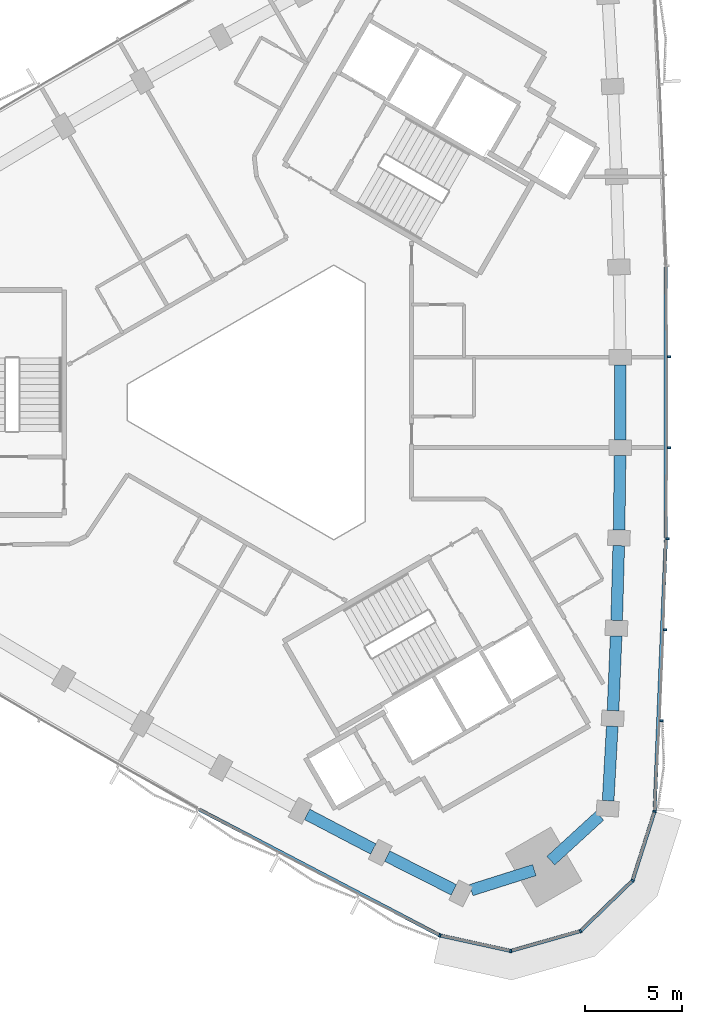
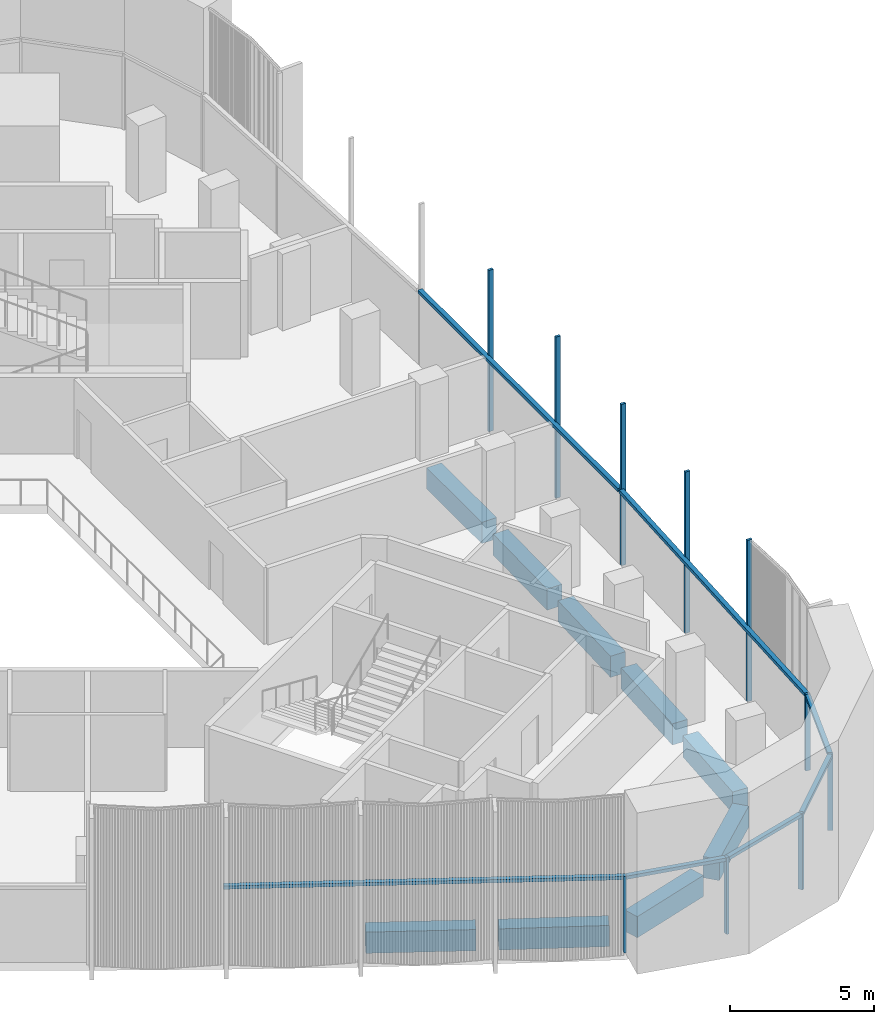
# One storey, part 3 of 13: 17 members, 9 beams, 2 elements without a shape of their own.
"""IFC4 building model written with IfcOpenShell, lengths in metres."""

import ifcopenshell
import ifcopenshell.guid

model = None  # the IFC model being written
_history = None  # IfcOwnerHistory: only IFC2X3 demands one
_inside = {}  # id of a spatial element -> (the spatial element, [elements in it])
_under = {}  # id of a project, library or spatial element -> (it, [spatial elements below it])
_declared = {}  # id of a project -> (the project, [libraries it declares])
_typed = {}  # id of a type object -> (the type object, [elements of that type])
_made_of = {}  # id of a material, layer set ... -> (it, [elements and type objects made of it])


def new_model(schema):
    """Start an empty IFC model of exactly this schema.

    Asked for "IFC4X3", IfcOpenShell would pick the latest addendum, in which some entities
    have other attributes; the version numbers below select the first issue.
    IFC2X3 requires an IfcOwnerHistory on every rooted entity: one is made here for all.
    """
    global model, _history
    if schema == "IFC4X3":
        model = ifcopenshell.file(schema_version=(4, 3, 0, 0))
    else:
        model = ifcopenshell.file(schema=schema)
    _inside.clear()
    _under.clear()
    _declared.clear()
    _typed.clear()
    _made_of.clear()
    _history = None
    if model.schema == "IFC2X3":
        org = make("IfcOrganization", Name="unknown")
        user = make(
            "IfcPersonAndOrganization",
            ThePerson=make("IfcPerson", FamilyName="unknown"),
            TheOrganization=org,
        )
        app = make(
            "IfcApplication",
            ApplicationDeveloper=org,
            Version="unknown",
            ApplicationFullName="unknown",
            ApplicationIdentifier="unknown",
        )
        _history = make(
            "IfcOwnerHistory",
            OwningUser=user,
            OwningApplication=app,
            ChangeAction="ADDED",
            CreationDate=0,
        )
    return model


def make(cls, **values):
    """One entity of the class cls with the attributes given. An attribute that is None is left unset."""
    return model.create_entity(
        cls, **{name: value for name, value in values.items() if value is not None}
    )


def rooted(cls, **values):
    """An entity with a GlobalId (a new one), such as an element, a storey or a relation."""
    return make(cls, GlobalId=ifcopenshell.guid.new(), OwnerHistory=_history, **values)


def si_unit(unit_type, name, prefix=None):
    """IfcSIUnit, for example si_unit("LENGTHUNIT", "METRE", prefix="MILLI")."""
    return make("IfcSIUnit", UnitType=unit_type, Prefix=prefix, Name=name)


def assignment(units):
    """IfcUnitAssignment: the units of a project."""
    return None if units is None else make("IfcUnitAssignment", Units=units)


def point(xyz):
    """IfcCartesianPoint."""
    return None if xyz is None else make("IfcCartesianPoint", Coordinates=xyz)


def direction(xyz):
    """IfcDirection."""
    return None if xyz is None else make("IfcDirection", DirectionRatios=xyz)


def frame(location, z_axis=None, x_axis=None):
    """IfcAxis2Placement3D, a coordinate frame: its origin and axes. An axis left out is left unset."""
    return make(
        "IfcAxis2Placement3D",
        Location=point(location),
        Axis=direction(z_axis),
        RefDirection=direction(x_axis),
    )


def frame_2d(location, x_axis=None):
    """IfcAxis2Placement2D, a coordinate frame in the plane: its origin and x axis."""
    return make(
        "IfcAxis2Placement2D", Location=point(location), RefDirection=direction(x_axis)
    )


def origin():
    """The frame at (0, 0, 0) with its axes left unset."""
    return frame((0.0, 0.0, 0.0))


def origin_2d():
    """The frame at (0, 0) in the plane with its x axis left unset."""
    return frame_2d((0.0, 0.0))


def place(relative_to, where):
    """IfcLocalPlacement: puts the frame where relative to a parent placement (None: the world)."""
    return make(
        "IfcLocalPlacement", PlacementRelTo=relative_to, RelativePlacement=where
    )


def context(
    kind, dimensions, precision=None, world=None, true_north=None, identifier=None
):
    """IfcGeometricRepresentationContext, for example the 3D "Model" context."""
    return make(
        "IfcGeometricRepresentationContext",
        ContextIdentifier=identifier,
        ContextType=kind,
        CoordinateSpaceDimension=dimensions,
        Precision=precision,
        WorldCoordinateSystem=world,
        TrueNorth=true_north,
    )


def subcontext(parent, identifier, kind, view, scale=None):
    """IfcGeometricRepresentationSubContext, for example "Body" below "Model"."""
    return make(
        "IfcGeometricRepresentationSubContext",
        ContextIdentifier=identifier,
        ContextType=kind,
        ParentContext=parent,
        TargetScale=scale,
        TargetView=view,
    )


def project(units=None, contexts=None):
    """IfcProject with its units and contexts."""
    return rooted(
        "IfcProject",
        Name="project",
        RepresentationContexts=contexts,
        UnitsInContext=assignment(units),
    )


def spatial(cls, under=None, at=None, **own):
    """A site, building, storey or space (cls), placed at a placement, below another one or the project."""
    s = rooted(cls, ObjectPlacement=at, **own)
    if under is not None:
        _under.setdefault(under.id(), (under, []))[1].append(s)
    return s


def profile(cls, at=None, kind="AREA", **sizes):
    """A parametric profile (cls). Its sizes go by their IFC names, for example OverallWidth=200.0."""
    return make(cls, ProfileType=kind, Position=at, **sizes)


def rectangle(**sizes):
    """IfcRectangleProfileDef."""
    return profile("IfcRectangleProfileDef", **sizes)


def extrude(swept, where, along, depth):
    """IfcExtrudedAreaSolid: the profile swept, set in the frame where, extruded along a direction by depth."""
    return make(
        "IfcExtrudedAreaSolid",
        SweptArea=swept,
        Position=where,
        ExtrudedDirection=direction(along),
        Depth=depth,
    )


def shape(context_of_items, identifier, shape_type, items):
    """IfcShapeRepresentation: the items that make up one representation, for example the "Body"."""
    return make(
        "IfcShapeRepresentation",
        ContextOfItems=context_of_items,
        RepresentationIdentifier=identifier,
        RepresentationType=shape_type,
        Items=items,
    )


def material(Name=None, Category=None):
    """IfcMaterial."""
    return make("IfcMaterial", Name=Name, Category=Category)


def material_profile(
    of_material, cross_section, Name=None, Category=None, Priority=None
):
    """IfcMaterialProfile: a cross section and its material."""
    return make(
        "IfcMaterialProfile",
        Name=Name,
        Material=of_material,
        Profile=cross_section,
        Priority=Priority,
        Category=Category,
    )


def profile_set(profiles, Name=None, composite=None):
    """IfcMaterialProfileSet."""
    return make(
        "IfcMaterialProfileSet",
        Name=Name,
        MaterialProfiles=profiles,
        CompositeProfile=composite,
    )


def made_of(thing, what):
    """Note that an element or type object is made of a material, layer set ...; save() writes the relation."""
    if what is not None:
        _made_of.setdefault(what.id(), (what, []))[1].append(thing)
    return thing


def type_object(cls, material=None, **own):
    """A type object (cls), such as IfcWallType, which elements share."""
    return made_of(rooted(cls, **own), material)


def element(
    cls,
    number,
    at=None,
    inside=None,
    cuts=None,
    type_object=None,
    material=None,
    context=None,
    identifier="Body",
    shape_type=None,
    held_by="IfcProductDefinitionShape",
    body=None,
    shapes=None,
    **own,
):
    """One element of the class cls, such as IfcWall. Its Tag is "e" and its number.

    at: its placement. inside: the storey or other place that contains it. cuts: it is an
    opening in that element (IfcRelVoidsElement). A single representation is given by context,
    identifier, shape_type and body (its items); several are given by shapes. held_by: the class
    of the entity that holds the representations. save() writes the other relations.
    """
    e = rooted(cls, Tag="e%d" % number, ObjectPlacement=at, **own)
    if body is not None:
        shapes = [shape(context, identifier, shape_type, body)]
    if shapes is not None:
        e.Representation = make(held_by, Representations=shapes)
    if inside is not None:
        _inside.setdefault(inside.id(), (inside, []))[1].append(e)
    if cuts is not None:
        rooted(
            "IfcRelVoidsElement", RelatingBuildingElement=cuts, RelatedOpeningElement=e
        )
    if type_object is not None:
        _typed.setdefault(type_object.id(), (type_object, []))[1].append(e)
    return made_of(e, material)


def aggregate(whole, parts):
    """IfcRelAggregates: a whole, such as a stair, and the parts it consists of."""
    return rooted("IfcRelAggregates", RelatingObject=whole, RelatedObjects=parts)


def save(model, path):
    """Write the relations noted so far, then the file.

    IfcRelAggregates (storeys below a building ...), IfcRelContainedInSpatialStructure (elements
    in a storey), IfcRelDefinesByType, IfcRelAssociatesMaterial and IfcRelDeclares: one each for
    every whole, place, type object, material and project.
    """
    for whole, parts in _under.values():
        aggregate(whole, parts)
    for where, things in _inside.values():
        rooted(
            "IfcRelContainedInSpatialStructure",
            RelatedElements=things,
            RelatingStructure=where,
        )
    for kind, things in _typed.values():
        rooted("IfcRelDefinesByType", RelatedObjects=things, RelatingType=kind)
    for what, things in _made_of.values():
        rooted("IfcRelAssociatesMaterial", RelatedObjects=things, RelatingMaterial=what)
    for by, libraries in _declared.values():
        rooted("IfcRelDeclares", RelatingContext=by, RelatedDefinitions=libraries)
    model.write(path)


model = new_model("IFC4")

# Units and contexts
model_context = context("Model", 3, precision=1e-05, world=origin(), true_north=direction((0.0, 1.0)))
body_context = subcontext(model_context, "Body", "Model", "MODEL_VIEW")
ifc_project = project(units=[si_unit("LENGTHUNIT", "METRE"), si_unit("AREAUNIT", "SQUARE_METRE"), si_unit("VOLUMEUNIT", "CUBIC_METRE"), si_unit("PLANEANGLEUNIT", "RADIAN"), si_unit("MASSUNIT", "GRAM", prefix="KILO")], contexts=[model_context])

# Site, building, storey
site_placement = place(None, origin())
site = spatial("IfcSite", under=ifc_project, at=site_placement, CompositionType="ELEMENT")
building_placement = place(site_placement, origin())
building = spatial("IfcBuilding", under=site, at=building_placement, Name="Tamra Quay Hotel Tower", CompositionType="ELEMENT")
storey_placement = place(building_placement, frame((0.0, 0.0, 186.39990234375)))
storey = spatial("IfcBuildingStorey", under=building, at=storey_placement, Name="L46", CompositionType="ELEMENT", Elevation=186.39990234375)

# Curtain wall, members
ifc_material_1 = material(Name="Aluminium 6063 anodised dark grey", Category="aluminium")
curtain_wall_type_1 = type_object("IfcCurtainWallType", Name="CW1 CURTAIN WALL", PredefinedType="NOTDEFINED", material=ifc_material_1)
curtain_wall_1_placement = place(storey_placement, origin())
curtain_wall_1 = element("IfcCurtainWall", 1, at=curtain_wall_1_placement, inside=storey, type_object=curtain_wall_type_1, Name="CW1 east face L46", PredefinedType="NOTDEFINED")
ifc_material_profile_1 = material_profile(ifc_material_1, rectangle(XDim=0.179931640625, YDim=0.10009765625, at=origin_2d()), Name="MULLION 100X180")
ifc_profile_set_1 = profile_set([ifc_material_profile_1], Name="Aluminium 6063 anodised dark grey")
member_type_1 = type_object("IfcMemberType", Name="MULLION CW1 Z4", PredefinedType="MULLION", material=ifc_profile_set_1)
member_1_placement = place(storey_placement, frame((19.4755859375, -21.00537109375, 0.0), z_axis=(0.0, 0.0, 1.0), x_axis=(0.98350948997, -0.180856526394, 0.0)))
member_1 = element("IfcMember", 2, at=member_1_placement, type_object=member_type_1, Name="CW1 mullion L46.E.1", PredefinedType="MULLION", context=body_context, shape_type="SweptSolid", body=[
    extrude(rectangle(XDim=0.179931640625, YDim=0.10009765625, at=origin_2d()), origin(), (0.0, 0.0, 1.0), 3.25),
])
member_2_placement = place(storey_placement, frame((19.824462890625, -16.346435546875, 0.0), z_axis=(0.0, 0.0, 1.0), x_axis=(0.998822750777, -0.048508891255, 0.0)))
member_2 = element("IfcMember", 3, at=member_2_placement, type_object=member_type_1, Name="CW1 mullion L46.E.2", PredefinedType="MULLION", context=body_context, shape_type="SweptSolid", body=[
    extrude(rectangle(XDim=0.179931640625, YDim=0.10009765625, at=origin_2d()), origin(), (0.0, 0.0, 1.0), 6.85009765625),
])
member_3_placement = place(storey_placement, frame((20.018798828125, -11.677734375, 0.0), z_axis=(0.0, 0.0, 1.0), x_axis=(0.999398564951, -0.034677202512, 0.0)))
member_3 = element("IfcMember", 4, at=member_3_placement, type_object=member_type_1, Name="CW1 mullion L46.E.3", PredefinedType="MULLION", context=body_context, shape_type="SweptSolid", body=[
    extrude(rectangle(XDim=0.179931640625, YDim=0.10009765625, at=origin_2d()), origin(), (0.0, 0.0, 1.0), 6.85009765625),
])
member_4_placement = place(storey_placement, frame((20.1484375, -7.008544921875, 0.0), z_axis=(0.0, 0.0, 1.0), x_axis=(0.999783229349, -0.020820526248, 0.0)))
member_4 = element("IfcMember", 5, at=member_4_placement, type_object=member_type_1, Name="CW1 mullion L46.E.4", PredefinedType="MULLION", context=body_context, shape_type="SweptSolid", body=[
    extrude(rectangle(XDim=0.179931640625, YDim=0.10009765625, at=origin_2d()), origin(), (0.0, 0.0, 1.0), 6.85009765625),
])
member_5_placement = place(storey_placement, frame((20.213134765625, -2.33642578125, 0.0), z_axis=(0.0, 0.0, 1.0), x_axis=(0.999975894313, -0.006943399247, 0.0)))
member_5 = element("IfcMember", 6, at=member_5_placement, type_object=member_type_1, Name="CW1 mullion L46.E.5", PredefinedType="MULLION", context=body_context, shape_type="SweptSolid", body=[
    extrude(rectangle(XDim=0.179931640625, YDim=0.10009765625, at=origin_2d()), origin(), (0.0, 0.0, 1.0), 6.85009765625),
])
member_6_placement = place(storey_placement, frame((20.213134765625, 2.33642578125, 0.0), z_axis=(0.0, 0.0, 1.0), x_axis=(0.999975894313, 0.006943399247, 0.0)))
member_6 = element("IfcMember", 7, at=member_6_placement, type_object=member_type_1, Name="CW1 mullion L46.E.6", PredefinedType="MULLION", context=body_context, shape_type="SweptSolid", body=[
    extrude(rectangle(XDim=0.179931640625, YDim=0.10009765625, at=origin_2d()), origin(), (0.0, 0.0, 1.0), 6.85009765625),
])

curtain_wall_type_2 = type_object("IfcCurtainWallType", Name="CW3 CURTAIN WALL", PredefinedType="NOTDEFINED", material=ifc_material_1)
curtain_wall_2_placement = place(storey_placement, origin())
curtain_wall_2 = element("IfcCurtainWall", 8, at=curtain_wall_2_placement, inside=storey, type_object=curtain_wall_type_2, Name="CW3 south-west face L46", PredefinedType="NOTDEFINED")
ifc_material_profile_2 = material_profile(ifc_material_1, rectangle(XDim=0.179931640625, YDim=0.10009765625, at=origin_2d()), Name="MULLION 100X180")
ifc_profile_set_2 = profile_set([ifc_material_profile_2], Name="Aluminium 6063 anodised dark grey")
member_type_2 = type_object("IfcMemberType", Name="MULLION CW3 Z4", PredefinedType="MULLION", material=ifc_profile_set_2)
member_7_placement = place(storey_placement, frame((8.453369140625, -27.369140625, 0.0), z_axis=(0.0, 0.0, 1.0), x_axis=(-0.335128398687, -0.942172466374, 0.0)))
member_7 = element("IfcMember", 9, at=member_7_placement, type_object=member_type_2, Name="CW3 mullion L46.SW.10", PredefinedType="MULLION", context=body_context, shape_type="SweptSolid", body=[
    extrude(rectangle(XDim=0.179931640625, YDim=0.10009765625, at=origin_2d()), origin(), (0.0, 0.0, 1.0), 3.25),
])
member_8_placement = place(storey_placement, frame((12.091064453125, -28.164794921875, 0.0), z_axis=(0.0, 0.0, 1.0), x_axis=(0.030975337936, -0.999520149091, 0.0)))
member_8 = element("IfcMember", 10, at=member_8_placement, type_object=member_type_2, Name="CW3 mullion L46.SW.11", PredefinedType="MULLION", context=body_context, shape_type="SweptSolid", body=[
    extrude(rectangle(XDim=0.179931640625, YDim=0.10009765625, at=origin_2d()), origin(), (0.0, 0.0, 1.0), 3.25),
])
member_9_placement = place(storey_placement, frame((15.67236328125, -27.145263671875, 0.0), z_axis=(0.0, 0.0, 1.0), x_axis=(0.5, -0.866025403784, 0.0)))
member_9 = element("IfcMember", 11, at=member_9_placement, type_object=member_type_2, Name="CW3 mullion L46.SW.12", PredefinedType="MULLION", context=body_context, shape_type="SweptSolid", body=[
    extrude(rectangle(XDim=0.179931640625, YDim=0.10009765625, at=origin_2d()), origin(), (0.0, 0.0, 1.0), 3.25),
])
member_10_placement = place(storey_placement, frame((18.345947265625, -24.553466796875, 0.0), z_axis=(0.0, 0.0, 1.0), x_axis=(0.85012217174, -0.526585504089, 0.0)))
member_10 = element("IfcMember", 12, at=member_10_placement, type_object=member_type_2, Name="CW3 mullion L46.SW.13", PredefinedType="MULLION", context=body_context, shape_type="SweptSolid", body=[
    extrude(rectangle(XDim=0.179931640625, YDim=0.10009765625, at=origin_2d()), origin(), (0.0, 0.0, 1.0), 3.25),
])

# Beams
ifc_material_2 = material(Name="Concrete M60", Category="concrete")
ifc_material_profile_3 = material_profile(ifc_material_2, rectangle(XDim=0.60009765625, YDim=0.89990234375, at=origin_2d()), Name="SPANDREL BEAM RC 600x900")
ifc_profile_set_3 = profile_set([ifc_material_profile_3], Name="Concrete M60")
beam_type = type_object("IfcBeamType", Name="SPANDREL BEAM RC 600x900", PredefinedType="SPANDREL", material=ifc_profile_set_3)
beam_1_placement = place(storey_placement, frame((17.091796875, -20.456787109375, -0.7998046875), z_axis=(0.055346700292, 0.99846719664, 0.0), x_axis=(-0.99846719664, 0.055346700292, 0.0)))
element("IfcBeam", 13, at=beam_1_placement, inside=storey, type_object=beam_type, Name="BM-SP4-000-L46", PredefinedType="SPANDREL", context=body_context, shape_type="SweptSolid", body=[
    extrude(rectangle(XDim=0.60009765625, YDim=0.89990234375, at=origin_2d()), origin(), (0.0, 0.0, 1.0), 3.837646484375),
])
beam_2_placement = place(storey_placement, frame((17.343017578125, -15.82568359375, -0.7998046875), z_axis=(0.041609373826, 0.999133954988, 0.0), x_axis=(-0.999133954988, 0.041609373826, 0.0)))
element("IfcBeam", 14, at=beam_2_placement, inside=storey, type_object=beam_type, Name="BM-SP4-001-L46", PredefinedType="SPANDREL", context=body_context, shape_type="SweptSolid", body=[
    extrude(rectangle(XDim=0.60009765625, YDim=0.89990234375, at=origin_2d()), origin(), (0.0, 0.0, 1.0), 3.83740234375),
])
beam_3_placement = place(storey_placement, frame((17.530517578125, -11.192138671875, -0.7998046875), z_axis=(0.02773528523, 0.999615302981, 0.0), x_axis=(-0.999615302981, 0.02773528523, 0.0)))
element("IfcBeam", 15, at=beam_3_placement, inside=storey, type_object=beam_type, Name="BM-SP4-002-L46", PredefinedType="SPANDREL", context=body_context, shape_type="SweptSolid", body=[
    extrude(rectangle(XDim=0.60009765625, YDim=0.89990234375, at=origin_2d()), origin(), (0.0, 0.0, 1.0), 3.837890625),
])
for number, where, z_axis, x_axis, name in (
    (16, (17.65380859375, -6.555908203125, -0.7998046875), (0.01380539035, 0.999904701058, 0.0), (-0.999904701058, 0.01380539035, 0.0), "BM-SP4-003-L46"),
    (17, (17.71240234375, -1.918701171875, -0.7998046875), (0.0, 1.0, 0.0), (-1.0, 0.0, 0.0), "BM-SP4-004-L46"),
    (18, (1.6337890625, -21.153564453125, -0.7998046875), (0.886043134182, -0.463602808845, 0.0), (0.463602808845, 0.886043134182, 0.0), "BM-SP4-029-L46"),
):
    element("IfcBeam", number, at=place(storey_placement, frame(where, z_axis=z_axis, x_axis=x_axis)), inside=storey, type_object=beam_type, Name=name, PredefinedType="SPANDREL", context=body_context, shape_type="SweptSolid", body=[
        extrude(rectangle(XDim=0.60009765625, YDim=0.89990234375, at=origin_2d()), origin(), (0.0, 0.0, 1.0), 3.83740234375),
    ])
beam_4_placement = place(storey_placement, frame((5.745361328125, -23.29833984375, -0.7998046875), z_axis=(0.892407883039, -0.451229620359, 0.0), x_axis=(0.451229620359, 0.892407883039, 0.0)))
element("IfcBeam", 19, at=beam_4_placement, inside=storey, type_object=beam_type, Name="BM-SP4-030-L46", PredefinedType="SPANDREL", context=body_context, shape_type="SweptSolid", body=[
    extrude(rectangle(XDim=0.60009765625, YDim=0.89990234375, at=origin_2d()), origin(), (0.0, 0.0, 1.0), 3.837646484375),
])
beam_5_placement = place(storey_placement, frame((10.057373046875, -25.043212890625, -0.7998046875), z_axis=(0.953502415748, 0.301385373174, 0.0), x_axis=(-0.301385373174, 0.953502415748, 0.0)))
element("IfcBeam", 20, at=beam_5_placement, inside=storey, type_object=beam_type, Name="BM-SP4-031-L46", PredefinedType="SPANDREL", context=body_context, shape_type="SweptSolid", body=[
    extrude(rectangle(XDim=0.60009765625, YDim=0.89990234375, at=origin_2d()), origin(), (0.0, 0.0, 1.0), 3.40380859375),
])
beam_6_placement = place(storey_placement, frame((14.14794921875, -23.52978515625, -0.7998046875), z_axis=(0.737716497183, 0.675110635218, 0.0), x_axis=(-0.675110635218, 0.737716497183, 0.0)))
element("IfcBeam", 21, at=beam_6_placement, inside=storey, type_object=beam_type, Name="BM-SP4-032-L46", PredefinedType="SPANDREL", context=body_context, shape_type="SweptSolid", body=[
    extrude(rectangle(XDim=0.60009765625, YDim=0.89990234375, at=origin_2d()), origin(), (0.0, 0.0, 1.0), 3.404296875),
])

# Member
ifc_material_profile_4 = material_profile(ifc_material_1, rectangle(XDim=0.179931640625, YDim=0.139892578125, at=origin_2d()), Name="TRANSOM 180X140")
ifc_profile_set_4 = profile_set([ifc_material_profile_4], Name="Aluminium 6063 anodised dark grey")
member_type_3 = type_object("IfcMemberType", Name="TRANSOM CW1 Z4", PredefinedType="USERDEFINED", material=ifc_profile_set_4)
member_11_placement = place(storey_placement, frame((19.478515625, -20.95556640625, 3.18017578125), z_axis=(0.041576525187, 0.999135322443, 0.0), x_axis=(-0.999135322443, 0.041576525187, 0.0)))
member_11 = element("IfcMember", 22, at=member_11_placement, type_object=member_type_3, Name="CW1 transom L46.E.1", ObjectType="TRANSOM", PredefinedType="USERDEFINED", context=body_context, shape_type="SweptSolid", body=[
    extrude(rectangle(XDim=0.179931640625, YDim=0.139892578125, at=origin_2d()), origin(), (0.0, 0.0, 1.0), 13.910888671875),
])

member_12_placement = place(storey_placement, frame((20.05908203125, -6.956787109375, 3.18017578125), z_axis=(0.0, 1.0, 0.0), x_axis=(-1.0, 0.0, 0.0)))
member_12 = element("IfcMember", 23, at=member_12_placement, type_object=member_type_3, Name="CW1 transom L46.E.4", ObjectType="TRANSOM", PredefinedType="USERDEFINED", context=body_context, shape_type="SweptSolid", body=[
    extrude(rectangle(XDim=0.179931640625, YDim=0.139892578125, at=origin_2d()), origin(), (0.0, 0.0, 1.0), 13.91357421875),
])

aggregate(curtain_wall_1, [member_1, member_11, member_2, member_3, member_4, member_12, member_5, member_6])

ifc_material_profile_5 = material_profile(ifc_material_1, rectangle(XDim=0.179931640625, YDim=0.139892578125, at=origin_2d()), Name="TRANSOM 180X140")
ifc_profile_set_5 = profile_set([ifc_material_profile_5], Name="Aluminium 6063 anodised dark grey")
member_type_4 = type_object("IfcMemberType", Name="TRANSOM CW3 Z4", PredefinedType="USERDEFINED", material=ifc_profile_set_5)
member_13_placement = place(storey_placement, frame((-3.917236328125, -20.898193359375, 3.18017578125), z_axis=(0.886073593198, -0.463544590559, 0.0), x_axis=(0.463544590559, 0.886073593198, 0.0)))
member_13 = element("IfcMember", 24, at=member_13_placement, type_object=member_type_4, Name="CW3 transom L46.SW.7", ObjectType="TRANSOM", PredefinedType="USERDEFINED", context=body_context, shape_type="SweptSolid", body=[
    extrude(rectangle(XDim=0.179931640625, YDim=0.139892578125, at=origin_2d()), origin(), (0.0, 0.0, 1.0), 13.91064453125),
])

member_14_placement = place(storey_placement, frame((8.502197265625, -27.3798828125, 3.18017578125), z_axis=(0.976912322542, -0.21364061895, 0.0), x_axis=(0.21364061895, 0.976912322542, 0.0)))
member_14 = element("IfcMember", 25, at=member_14_placement, type_object=member_type_4, Name="CW3 transom L46.SW.10", ObjectType="TRANSOM", PredefinedType="USERDEFINED", context=body_context, shape_type="SweptSolid", body=[
    extrude(rectangle(XDim=0.179931640625, YDim=0.139892578125, at=origin_2d()), origin(), (0.0, 0.0, 1.0), 3.623779296875),
])

member_15_placement = place(storey_placement, frame((12.13916015625, -28.151123046875, 3.18017578125), z_axis=(0.961782850697, 0.273813345375, 0.0), x_axis=(-0.273813345375, 0.961782850697, 0.0)))
member_15 = element("IfcMember", 26, at=member_15_placement, type_object=member_type_4, Name="CW3 transom L46.SW.11", ObjectType="TRANSOM", PredefinedType="USERDEFINED", context=body_context, shape_type="SweptSolid", body=[
    extrude(rectangle(XDim=0.179931640625, YDim=0.139892578125, at=origin_2d()), origin(), (0.0, 0.0, 1.0), 3.62353515625),
])

member_16_placement = place(storey_placement, frame((15.708251953125, -27.110595703125, 3.18017578125), z_axis=(0.718003439243, 0.696039554361, 0.0), x_axis=(-0.696039554361, 0.718003439243, 0.0)))
member_16 = element("IfcMember", 27, at=member_16_placement, type_object=member_type_4, Name="CW3 transom L46.SW.12", ObjectType="TRANSOM", PredefinedType="USERDEFINED", context=body_context, shape_type="SweptSolid", body=[
    extrude(rectangle(XDim=0.179931640625, YDim=0.139892578125, at=origin_2d()), origin(), (0.0, 0.0, 1.0), 3.623779296875),
])

member_17_placement = place(storey_placement, frame((18.361083984375, -24.505859375, 3.18017578125), z_axis=(0.303384410911, 0.952868248614, 0.0), x_axis=(-0.952868248614, 0.303384410911, 0.0)))
member_17 = element("IfcMember", 28, at=member_17_placement, type_object=member_type_4, Name="CW3 transom L46.SW.13", ObjectType="TRANSOM", PredefinedType="USERDEFINED", context=body_context, shape_type="SweptSolid", body=[
    extrude(rectangle(XDim=0.179931640625, YDim=0.139892578125, at=origin_2d()), origin(), (0.0, 0.0, 1.0), 3.623779296875),
])

aggregate(curtain_wall_2, [member_13, member_7, member_14, member_8, member_15, member_9, member_16, member_10, member_17])

save(model, "model.ifc")
